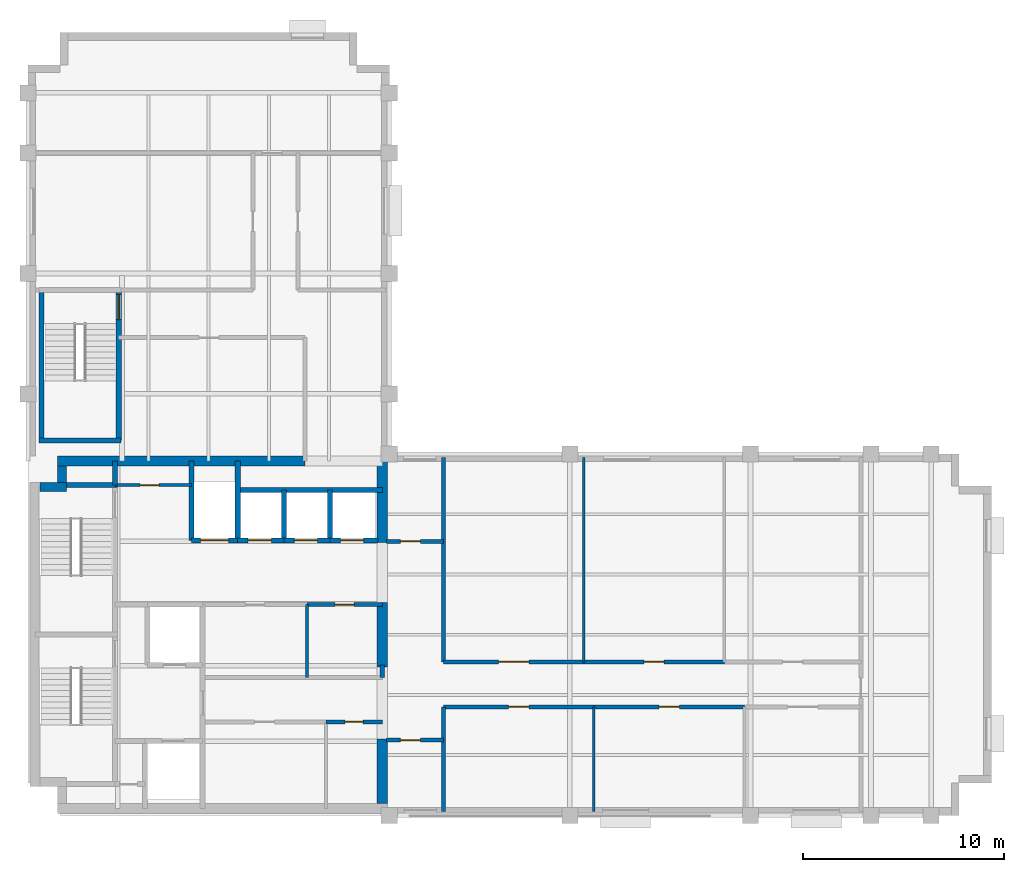
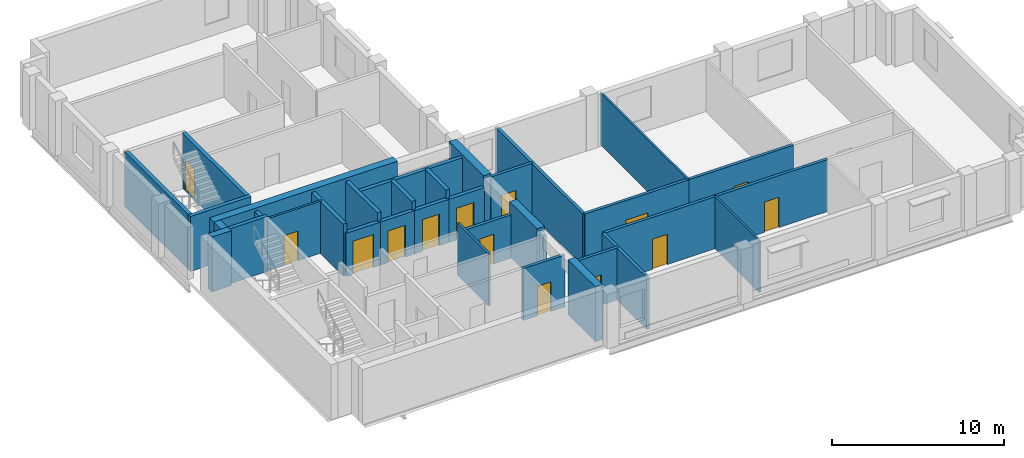
# One storey, part 3 of 6: 35 walls, 14 doors, 14 openings.
"""IFC4 building model written with IfcOpenShell, lengths in metres."""

from ifc_helpers import new_model, si_unit, direction, frame, frame_2d, origin, place, context, subcontext, project, spatial, rectangle, extrude, material, layer, layer_set, type_object, element, fill, save


model = new_model("IFC4")

# Units and contexts
model_context = context("Model", 3, precision=1e-05, world=origin(), true_north=direction((0.0, 1.0)))
body_context = subcontext(model_context, "Body", "Model", "MODEL_VIEW")
ifc_project = project(units=[si_unit("LENGTHUNIT", "METRE"), si_unit("AREAUNIT", "SQUARE_METRE"), si_unit("VOLUMEUNIT", "CUBIC_METRE"), si_unit("PLANEANGLEUNIT", "RADIAN"), si_unit("MASSUNIT", "GRAM", prefix="KILO")], contexts=[model_context])

# Site, building, storey
site_placement = place(None, origin())
site = spatial("IfcSite", under=ifc_project, at=site_placement, CompositionType="ELEMENT")
building_placement = place(site_placement, origin())
building = spatial("IfcBuilding", under=site, at=building_placement, Name="Mawjdan Bourse Tower", CompositionType="ELEMENT")
storey_placement = place(building_placement, frame((0.0, 0.0, 231.300048828125)))
storey = spatial("IfcBuildingStorey", under=building, at=storey_placement, Name="L56", CompositionType="ELEMENT", Elevation=231.300048828125)

# Wall, opening, door
ifc_material_1 = material(Name="Gypsum Fireboard Assembly")
ifc_layer_1 = layer(ifc_material_1, 0.199951171875)
ifc_layer_set_1 = layer_set([ifc_layer_1], Name="Gypsum Fireboard Assembly")
wall_type_1 = type_object("IfcWallType", Name="WL-CMP-200", PredefinedType="PARTITIONING", material=ifc_layer_set_1)
wall_1_placement = place(storey_placement, frame((20.85009765625, 7.659912109375, 0.0), z_axis=(0.0, 0.0, 1.0), x_axis=(1.0, 0.0, 0.0)))
wall_1 = element("IfcWall", 1, at=wall_1_placement, inside=storey, type_object=wall_type_1, Name="L56 Telemetry Control Room North Wall", PredefinedType="PARTITIONING", context=body_context, shape_type="SweptSolid", body=[
    extrude(rectangle(XDim=2.7998046875, YDim=0.199951171875, at=frame_2d((1.39990234375, 0.0))), origin(), (0.0, 0.0, 1.0), 3.68994140625),
])
opening_1_placement = place(wall_1_placement, frame((0.949951171875, 0.0, 0.0)))
opening_1 = element("IfcOpeningElement", 2, at=opening_1_placement, cuts=wall_1, Name="Opening D-L56-14", PredefinedType="OPENING", context=body_context, shape_type="SweptSolid", body=[
    extrude(rectangle(XDim=0.89990234375, YDim=2.10009765625, at=frame_2d((0.449951171875, 1.050048828125))), frame((0.0, 0.10986328125, 0.0), z_axis=(0.0, -1.0, 0.0), x_axis=(1.0, 0.0, 0.0)), (0.0, 0.0, 1.0), 0.219970703125),
])
ifc_material_2 = material(Name="Fire-Rated Steel Access Leaf", Category="steel")
door_type_1 = type_object("IfcDoorType", Name="FD-RSR-0900", OperationType="NOTDEFINED", PredefinedType="TRAPDOOR", material=ifc_material_2)
door_1_placement = place(opening_1_placement, origin())
door_1 = element("IfcDoor", 3, at=door_1_placement, inside=storey, type_object=door_type_1, Name="L56 Telemetry Control Room Door D-L56-14", OperationType="SINGLE_SWING_RIGHT", OverallHeight=2.10009765625, OverallWidth=0.89990234375, PredefinedType="TRAPDOOR", context=body_context, shape_type="SweptSolid", body=[
    extrude(rectangle(XDim=0.89990234375, YDim=2.10009765625, at=frame_2d((0.449951171875, 1.050048828125))), frame((0.0, 0.02490234375, 0.0), z_axis=(0.0, -1.0, 0.0), x_axis=(1.0, 0.0, 0.0)), (0.0, 0.0, 1.0), 0.050048828125),
])
fill(opening_1, door_1)

# Wall
wall_2_placement = place(storey_placement, frame((23.64990234375, 9.8798828125, 0.0), z_axis=(0.0, 0.0, 1.0), x_axis=(0.0, 1.0, 0.0)))
element("IfcWall", 4, at=wall_2_placement, inside=storey, type_object=wall_type_1, Name="L56 Core Restroom East Return", PredefinedType="PARTITIONING", context=body_context, shape_type="SweptSolid", body=[
    extrude(rectangle(XDim=0.6201171875, YDim=0.199951171875, at=frame_2d((0.31005859375, 0.0))), origin(), (0.0, 0.0, 1.0), 3.68994140625),
])

# Wall, opening, door
wall_3_placement = place(storey_placement, frame((19.89990234375, 13.5, 0.0), z_axis=(0.0, 0.0, 1.0), x_axis=(1.0, 0.0, 0.0)))
wall_3 = element("IfcWall", 5, at=wall_3_placement, inside=storey, type_object=wall_type_1, Name="L56 Staff Wellness & Quiet Room North Wall", PredefinedType="PARTITIONING", context=body_context, shape_type="SweptSolid", body=[
    extrude(rectangle(XDim=3.75, YDim=0.199951171875, at=frame_2d((1.875, 0.0))), origin(), (0.0, 0.0, 1.0), 3.072998046875),
])
opening_2_placement = place(wall_3_placement, frame((1.39990234375, 0.0, 0.0)))
opening_2 = element("IfcOpeningElement", 6, at=opening_2_placement, cuts=wall_3, Name="Opening D-L56-16", PredefinedType="OPENING", context=body_context, shape_type="SweptSolid", body=[
    extrude(rectangle(XDim=0.949951171875, YDim=2.10009765625, at=frame_2d((0.47509765625, 1.050048828125))), frame((0.0, 0.10986328125, 0.0), z_axis=(0.0, -1.0, 0.0), x_axis=(1.0, 0.0, 0.0)), (0.0, 0.0, 1.0), 0.219970703125),
])
ifc_material_3 = material(Name="Moisture-Resistant Laminate Timber", Category="wood")
door_type_2 = type_object("IfcDoorType", Name="DR-WET-0950", OperationType="NOTDEFINED", PredefinedType="DOOR", material=ifc_material_3)
door_2_placement = place(opening_2_placement, origin())
door_2 = element("IfcDoor", 7, at=door_2_placement, inside=storey, type_object=door_type_2, Name="L56 Staff Wellness & Quiet Room Door D-L56-16", OperationType="SINGLE_SWING_RIGHT", OverallHeight=2.10009765625, OverallWidth=0.949951171875, PredefinedType="DOOR", context=body_context, shape_type="SweptSolid", body=[
    extrude(rectangle(XDim=0.949951171875, YDim=2.10009765625, at=frame_2d((0.47509765625, 1.050048828125))), frame((0.0, 0.02490234375, 0.0), z_axis=(0.0, -1.0, 0.0), x_axis=(1.0, 0.0, 0.0)), (0.0, 0.0, 1.0), 0.050048828125),
])
fill(opening_2, door_2)

wall_4_placement = place(storey_placement, frame((23.85009765625, 6.75, 0.0), z_axis=(0.0, 0.0, 1.0), x_axis=(1.0, 0.0, 0.0)))
wall_4 = element("IfcWall", 8, at=wall_4_placement, inside=storey, type_object=wall_type_1, Name="L56 West Pocket North Wall", PredefinedType="PARTITIONING", context=body_context, shape_type="SweptSolid", body=[
    extrude(rectangle(XDim=2.849853515625, YDim=0.199951171875, at=frame_2d((1.4248046875, 0.0))), origin(), (0.0, 0.0, 1.0), 3.68994140625),
])
opening_3_placement = place(wall_4_placement, frame((0.699951171875, 0.0, 0.0)))
opening_3 = element("IfcOpeningElement", 9, at=opening_3_placement, cuts=wall_4, Name="Opening D-L56-19", PredefinedType="OPENING", context=body_context, shape_type="SweptSolid", body=[
    extrude(rectangle(XDim=1.0, YDim=2.14990234375, at=frame_2d((0.5, 1.074951171875))), frame((0.0, 0.10986328125, 0.0), z_axis=(0.0, -1.0, 0.0), x_axis=(1.0, 0.0, 0.0)), (0.0, 0.0, 1.0), 0.219970703125),
])
ifc_material_4 = material(Name="Hardwood Acoustic Leaf", Category="wood")
door_type_3 = type_object("IfcDoorType", Name="DR-OFC-1000", OperationType="NOTDEFINED", PredefinedType="DOOR", material=ifc_material_4)
door_3_placement = place(opening_3_placement, origin())
door_3 = element("IfcDoor", 10, at=door_3_placement, inside=storey, type_object=door_type_3, Name="L56 West Pocket Office Door D-L56-19", OperationType="SINGLE_SWING_LEFT", OverallHeight=2.14990234375, OverallWidth=1.0, PredefinedType="DOOR", context=body_context, shape_type="SweptSolid", body=[
    extrude(rectangle(XDim=1.0, YDim=2.14990234375, at=frame_2d((0.5, 1.074951171875))), frame((0.0, 0.02490234375, 0.0), z_axis=(0.0, -1.0, 0.0), x_axis=(1.0, 0.0, 0.0)), (0.0, 0.0, 1.0), 0.050048828125),
])
fill(opening_3, door_3)

wall_5_placement = place(storey_placement, frame((23.85009765625, 16.64990234375, 0.0), z_axis=(0.0, 0.0, 1.0), x_axis=(1.0, 0.0, 0.0)))
wall_5 = element("IfcWall", 11, at=wall_5_placement, inside=storey, type_object=wall_type_1, Name="L56 West North Pocket Wall", PredefinedType="PARTITIONING", context=body_context, shape_type="SweptSolid", body=[
    extrude(rectangle(XDim=2.849853515625, YDim=0.199951171875, at=frame_2d((1.4248046875, 0.0))), origin(), (0.0, 0.0, 1.0), 3.68994140625),
])
opening_4_placement = place(wall_5_placement, frame((0.699951171875, 0.0, 0.0)))
opening_4 = element("IfcOpeningElement", 12, at=opening_4_placement, cuts=wall_5, Name="Opening D-L56-20", PredefinedType="OPENING", context=body_context, shape_type="SweptSolid", body=[
    extrude(rectangle(XDim=1.0, YDim=2.14990234375, at=frame_2d((0.5, 1.074951171875))), frame((0.0, 0.10986328125, 0.0), z_axis=(0.0, -1.0, 0.0), x_axis=(1.0, 0.0, 0.0)), (0.0, 0.0, 1.0), 0.219970703125),
])
door_4_placement = place(opening_4_placement, origin())
door_4 = element("IfcDoor", 13, at=door_4_placement, inside=storey, type_object=door_type_3, Name="L56 West North Pocket Door D-L56-20", OperationType="SINGLE_SWING_RIGHT", OverallHeight=2.14990234375, OverallWidth=1.0, PredefinedType="DOOR", context=body_context, shape_type="SweptSolid", body=[
    extrude(rectangle(XDim=1.0, YDim=2.14990234375, at=frame_2d((0.5, 1.074951171875))), frame((0.0, 0.02490234375, 0.0), z_axis=(0.0, -1.0, 0.0), x_axis=(1.0, 0.0, 0.0)), (0.0, 0.0, 1.0), 0.050048828125),
])
fill(opening_4, door_4)

# Walls
wall_6_placement = place(storey_placement, frame((26.699951171875, 3.179931640625, 0.0), z_axis=(0.0, 0.0, 1.0), x_axis=(0.0, 1.0, 0.0)))
element("IfcWall", 14, at=wall_6_placement, inside=storey, type_object=wall_type_1, Name="L56 Vestibule South East Wall", PredefinedType="PARTITIONING", context=body_context, shape_type="SweptSolid", body=[
    extrude(rectangle(XDim=5.219970703125, YDim=0.199951171875, at=frame_2d((2.60986328125, 0.0))), origin(), (0.0, 0.0, 1.0), 3.68994140625),
])
wall_7_placement = place(storey_placement, frame((26.699951171875, 10.64990234375, 0.0), z_axis=(0.0, 0.0, 1.0), x_axis=(0.0, 1.0, 0.0)))
element("IfcWall", 15, at=wall_7_placement, inside=storey, type_object=wall_type_1, Name="L56 Vestibule North East Wall", PredefinedType="PARTITIONING", context=body_context, shape_type="SweptSolid", body=[
    extrude(rectangle(XDim=10.170166015625, YDim=0.199951171875, at=frame_2d((5.0849609375, 0.0))), origin(), (0.0, 0.0, 1.0), 3.68994140625),
])

# Wall, opening, door
wall_8_placement = place(storey_placement, frame((26.699951171875, 8.39990234375, 0.0), z_axis=(0.0, 0.0, 1.0), x_axis=(1.0, 0.0, 0.0)))
wall_8 = element("IfcWall", 16, at=wall_8_placement, inside=storey, type_object=wall_type_1, Name="L56 Private Equity Suite Corridor Wall", PredefinedType="PARTITIONING", context=body_context, shape_type="SweptSolid", body=[
    extrude(rectangle(XDim=7.5, YDim=0.199951171875, at=frame_2d((3.75, 0.0))), origin(), (0.0, 0.0, 1.0), 3.68994140625),
])
opening_5_placement = place(wall_8_placement, frame((3.25, 0.0, 0.0)))
opening_5 = element("IfcOpeningElement", 17, at=opening_5_placement, cuts=wall_8, Name="Opening D-L56-21", PredefinedType="OPENING", context=body_context, shape_type="SweptSolid", body=[
    extrude(rectangle(XDim=1.0, YDim=2.14990234375, at=frame_2d((0.5, 1.074951171875))), frame((0.0, 0.10986328125, 0.0), z_axis=(0.0, -1.0, 0.0), x_axis=(1.0, 0.0, 0.0)), (0.0, 0.0, 1.0), 0.219970703125),
])
door_5_placement = place(opening_5_placement, origin())
door_5 = element("IfcDoor", 18, at=door_5_placement, inside=storey, type_object=door_type_3, Name="L56 Private Equity Suite Door D-L56-21", OperationType="SINGLE_SWING_LEFT", OverallHeight=2.14990234375, OverallWidth=1.0, PredefinedType="DOOR", context=body_context, shape_type="SweptSolid", body=[
    extrude(rectangle(XDim=1.0, YDim=2.14990234375, at=frame_2d((0.5, 1.074951171875))), frame((0.0, 0.02490234375, 0.0), z_axis=(0.0, -1.0, 0.0), x_axis=(1.0, 0.0, 0.0)), (0.0, 0.0, 1.0), 0.050048828125),
])
fill(opening_5, door_5)

wall_9_placement = place(storey_placement, frame((34.199951171875, 8.39990234375, 0.0), z_axis=(0.0, 0.0, 1.0), x_axis=(1.0, 0.0, 0.0)))
wall_9 = element("IfcWall", 19, at=wall_9_placement, inside=storey, type_object=wall_type_1, Name="L56 Executive Office Corridor Wall", PredefinedType="PARTITIONING", context=body_context, shape_type="SweptSolid", body=[
    extrude(rectangle(XDim=7.5, YDim=0.199951171875, at=frame_2d((3.75, 0.0))), origin(), (0.0, 0.0, 1.0), 3.68994140625),
])
opening_6_placement = place(wall_9_placement, frame((3.25, 0.0, 0.0)))
opening_6 = element("IfcOpeningElement", 20, at=opening_6_placement, cuts=wall_9, Name="Opening D-L56-22", PredefinedType="OPENING", context=body_context, shape_type="SweptSolid", body=[
    extrude(rectangle(XDim=1.0, YDim=2.14990234375, at=frame_2d((0.5, 1.074951171875))), frame((0.0, 0.10986328125, 0.0), z_axis=(0.0, -1.0, 0.0), x_axis=(1.0, 0.0, 0.0)), (0.0, 0.0, 1.0), 0.219970703125),
])
door_6_placement = place(opening_6_placement, origin())
door_6 = element("IfcDoor", 21, at=door_6_placement, inside=storey, type_object=door_type_3, Name="L56 Executive Office Door D-L56-22", OperationType="SINGLE_SWING_RIGHT", OverallHeight=2.14990234375, OverallWidth=1.0, PredefinedType="DOOR", context=body_context, shape_type="SweptSolid", body=[
    extrude(rectangle(XDim=1.0, YDim=2.14990234375, at=frame_2d((0.5, 1.074951171875))), frame((0.0, 0.02490234375, 0.0), z_axis=(0.0, -1.0, 0.0), x_axis=(1.0, 0.0, 0.0)), (0.0, 0.0, 1.0), 0.050048828125),
])
fill(opening_6, door_6)

wall_10_placement = place(storey_placement, frame((26.699951171875, 10.64990234375, 0.0), z_axis=(0.0, 0.0, 1.0), x_axis=(1.0, 0.0, 0.0)))
wall_10 = element("IfcWall", 22, at=wall_10_placement, inside=storey, type_object=wall_type_1, Name="L56 Conference Room Corridor Wall", PredefinedType="PARTITIONING", context=body_context, shape_type="SweptSolid", body=[
    extrude(rectangle(XDim=7.0, YDim=0.199951171875, at=frame_2d((3.5, 0.0))), origin(), (0.0, 0.0, 1.0), 3.68994140625),
])
opening_7_placement = place(wall_10_placement, frame((2.75, 0.0, 0.0)))
opening_7 = element("IfcOpeningElement", 23, at=opening_7_placement, cuts=wall_10, Name="Opening D-L56-24", PredefinedType="OPENING", context=body_context, shape_type="SweptSolid", body=[
    extrude(rectangle(XDim=1.5, YDim=2.300048828125, at=frame_2d((0.75, 1.14990234375))), frame((0.0, 0.10986328125, 0.0), z_axis=(0.0, -1.0, 0.0), x_axis=(1.0, 0.0, 0.0)), (0.0, 0.0, 1.0), 0.219970703125),
])
ifc_material_5 = material(Name="Acoustic Glazed Timber", Category="wood")
door_type_4 = type_object("IfcDoorType", Name="DR-CNF-1500", OperationType="DOUBLE_DOOR_SINGLE_SWING", PredefinedType="DOOR", material=ifc_material_5)
door_7_placement = place(opening_7_placement, origin())
door_7 = element("IfcDoor", 24, at=door_7_placement, inside=storey, type_object=door_type_4, Name="L56 Conference Room Door D-L56-24", OperationType="DOUBLE_DOOR_SINGLE_SWING", OverallHeight=2.300048828125, OverallWidth=1.5, PredefinedType="DOOR", context=body_context, shape_type="SweptSolid", body=[
    extrude(rectangle(XDim=1.5, YDim=2.300048828125, at=frame_2d((0.75, 1.14990234375))), frame((0.0, 0.02490234375, 0.0), z_axis=(0.0, -1.0, 0.0), x_axis=(1.0, 0.0, 0.0)), (0.0, 0.0, 1.0), 0.050048828125),
])
fill(opening_7, door_7)

wall_11_placement = place(storey_placement, frame((33.699951171875, 10.64990234375, 0.0), z_axis=(0.0, 0.0, 1.0), x_axis=(1.0, 0.0, 0.0)))
wall_11 = element("IfcWall", 25, at=wall_11_placement, inside=storey, type_object=wall_type_1, Name="L56 Venture Research Office Corridor Wall", PredefinedType="PARTITIONING", context=body_context, shape_type="SweptSolid", body=[
    extrude(rectangle(XDim=7.0, YDim=0.199951171875, at=frame_2d((3.5, 0.0))), origin(), (0.0, 0.0, 1.0), 3.68994140625),
])
opening_8_placement = place(wall_11_placement, frame((3.0, 0.0, 0.0)))
opening_8 = element("IfcOpeningElement", 26, at=opening_8_placement, cuts=wall_11, Name="Opening D-L56-25", PredefinedType="OPENING", context=body_context, shape_type="SweptSolid", body=[
    extrude(rectangle(XDim=1.0, YDim=2.14990234375, at=frame_2d((0.5, 1.074951171875))), frame((0.0, 0.10986328125, 0.0), z_axis=(0.0, -1.0, 0.0), x_axis=(1.0, 0.0, 0.0)), (0.0, 0.0, 1.0), 0.219970703125),
])
door_8_placement = place(opening_8_placement, origin())
door_8 = element("IfcDoor", 27, at=door_8_placement, inside=storey, type_object=door_type_3, Name="L56 Venture Research Office Door D-L56-25", OperationType="SINGLE_SWING_LEFT", OverallHeight=2.14990234375, OverallWidth=1.0, PredefinedType="DOOR", context=body_context, shape_type="SweptSolid", body=[
    extrude(rectangle(XDim=1.0, YDim=2.14990234375, at=frame_2d((0.5, 1.074951171875))), frame((0.0, 0.02490234375, 0.0), z_axis=(0.0, -1.0, 0.0), x_axis=(1.0, 0.0, 0.0)), (0.0, 0.0, 1.0), 0.050048828125),
])
fill(opening_8, door_8)

# Walls
ifc_material_6 = material(Name="Concrete C60/75", Category="concrete")
ifc_layer_2 = layer(ifc_material_6, 0.449951171875)
ifc_layer_set_2 = layer_set([ifc_layer_2], Name="Concrete C60/75")
wall_type_2 = type_object("IfcWallType", Name="WL-CORE-450", PredefinedType="SHEAR", material=ifc_layer_set_2)
wall_12_placement = place(storey_placement, frame((6.60009765625, 19.35009765625, 0.0), z_axis=(0.0, 0.0, 1.0), x_axis=(1.0, 0.0, 0.0)))
element("IfcWall", 28, at=wall_12_placement, inside=storey, type_object=wall_type_2, Name="L56 Rear Core Shear Wall NW-X", PredefinedType="SHEAR", context=body_context, shape_type="SweptSolid", body=[
    extrude(rectangle(XDim=1.324951171875, YDim=0.449951171875, at=frame_2d((0.66259765625, 0.0))), origin(), (0.0, 0.0, 1.0), 3.89990234375),
])
wall_13_placement = place(storey_placement, frame((7.699951171875, 19.574951171875, 0.0), z_axis=(0.0, 0.0, 1.0), x_axis=(0.0, 1.0, 0.0)))
element("IfcWall", 29, at=wall_13_placement, inside=storey, type_object=wall_type_2, Name="L56 Rear Core Shear Wall NW-Y", PredefinedType="SHEAR", context=body_context, shape_type="SweptSolid", body=[
    extrude(rectangle(XDim=0.824951171875, YDim=0.449951171875, at=frame_2d((0.41259765625, 0.0))), origin(), (0.0, 0.0, 1.0), 3.89990234375),
])
ifc_layer_3 = layer(ifc_material_6, 0.5)
ifc_layer_set_3 = layer_set([ifc_layer_3], Name="Concrete C60/75")
wall_type_3 = type_object("IfcWallType", Name="WL-CORE-500", PredefinedType="SHEAR", material=ifc_layer_set_3)
wall_14_placement = place(storey_placement, frame((7.47509765625, 20.64990234375, 0.0), z_axis=(0.0, 0.0, 1.0), x_axis=(1.0, 0.0, 0.0)))
element("IfcWall", 30, at=wall_14_placement, inside=storey, type_object=wall_type_3, Name="L56 Rear Core Shear Wall N", PredefinedType="SHEAR", context=body_context, shape_type="SweptSolid", body=[
    extrude(rectangle(XDim=12.324951171875, YDim=0.5, at=frame_2d((6.16259765625, 0.0))), origin(), (0.0, 0.0, 1.0), 3.89990234375),
])
wall_15_placement = place(storey_placement, frame((23.64990234375, 3.60009765625, 0.0), z_axis=(0.0, 0.0, 1.0), x_axis=(0.0, 1.0, 0.0)))
element("IfcWall", 31, at=wall_15_placement, inside=storey, type_object=wall_type_3, Name="L56 Rear Core Shear Wall E1", PredefinedType="SHEAR", context=body_context, shape_type="SweptSolid", body=[
    extrude(rectangle(XDim=3.199951171875, YDim=0.5, at=frame_2d((1.60009765625, 0.0))), origin(), (0.0, 0.0, 1.0), 3.89990234375),
])
wall_16_placement = place(storey_placement, frame((23.64990234375, 10.39990234375, 0.0), z_axis=(0.0, 0.0, 1.0), x_axis=(0.0, 1.0, 0.0)))
element("IfcWall", 32, at=wall_16_placement, inside=storey, type_object=wall_type_3, Name="L56 Rear Core Shear Wall E2", PredefinedType="SHEAR", context=body_context, shape_type="SweptSolid", body=[
    extrude(rectangle(XDim=3.2001953125, YDim=0.5, at=frame_2d((1.60009765625, 0.0))), origin(), (0.0, 0.0, 1.0), 3.89990234375),
])
wall_17_placement = place(storey_placement, frame((23.64990234375, 16.60009765625, 0.0), z_axis=(0.0, 0.0, 1.0), x_axis=(0.0, 1.0, 0.0)))
element("IfcWall", 33, at=wall_17_placement, inside=storey, type_object=wall_type_3, Name="L56 Rear Core Shear Wall E3", PredefinedType="SHEAR", context=body_context, shape_type="SweptSolid", body=[
    extrude(rectangle(XDim=4.0498046875, YDim=0.5, at=frame_2d((2.02490234375, 0.0))), origin(), (0.0, 0.0, 1.0), 3.89990234375),
])
ifc_material_7 = material(Name="Gypsum Partition")
ifc_layer_4 = layer(ifc_material_7, 0.125)
ifc_layer_set_4 = layer_set([ifc_layer_4], Name="Gypsum Partition")
wall_type_4 = type_object("IfcWallType", Name="WL-PRT-125", PredefinedType="PARTITIONING", material=ifc_layer_set_4)
wall_18_placement = place(storey_placement, frame((34.199951171875, 3.179931640625, 0.0), z_axis=(0.0, 0.0, 1.0), x_axis=(0.0, 1.0, 0.0)))
element("IfcWall", 34, at=wall_18_placement, inside=storey, type_object=wall_type_4, Name="L56 Executive Office Partition", PredefinedType="PARTITIONING", context=body_context, shape_type="SweptSolid", body=[
    extrude(rectangle(XDim=5.219970703125, YDim=0.125, at=frame_2d((2.60986328125, 0.0))), origin(), (0.0, 0.0, 1.0), 3.68994140625),
])
wall_19_placement = place(storey_placement, frame((33.699951171875, 10.64990234375, 0.0), z_axis=(0.0, 0.0, 1.0), x_axis=(0.0, 1.0, 0.0)))
element("IfcWall", 35, at=wall_19_placement, inside=storey, type_object=wall_type_4, Name="L56 Venture Research Office Partition", PredefinedType="PARTITIONING", context=body_context, shape_type="SweptSolid", body=[
    extrude(rectangle(XDim=10.170166015625, YDim=0.125, at=frame_2d((5.0849609375, 0.0))), origin(), (0.0, 0.0, 1.0), 3.68994140625),
])
ifc_material_8 = material(Name="Gypsum Acoustic Partition")
ifc_layer_5 = layer(ifc_material_8, 0.14990234375)
ifc_layer_set_5 = layer_set([ifc_layer_5], Name="Gypsum Acoustic Partition")
wall_type_5 = type_object("IfcWallType", Name="WL-PRT-150", PredefinedType="PARTITIONING", material=ifc_layer_set_5)
wall_20_placement = place(storey_placement, frame((19.89990234375, 9.8798828125, 0.0), z_axis=(0.0, 0.0, 1.0), x_axis=(0.0, 1.0, 0.0)))
element("IfcWall", 36, at=wall_20_placement, inside=storey, type_object=wall_type_5, Name="L56 Staff Wellness & Quiet Room Split Wall", PredefinedType="PARTITIONING", context=body_context, shape_type="SweptSolid", body=[
    extrude(rectangle(XDim=3.6201171875, YDim=0.14990234375, at=frame_2d((1.81005859375, 0.0))), origin(), (0.0, 0.0, 1.0), 3.68994140625),
])

# Wall, opening, door
wall_21_placement = place(storey_placement, frame((10.330078125, 19.449951171875, 0.0), z_axis=(0.0, 0.0, 1.0), x_axis=(1.0, 0.0, 0.0)))
wall_21 = element("IfcWall", 37, at=wall_21_placement, inside=storey, type_object=wall_type_5, Name="L56 Housekeeping South Wall", PredefinedType="PARTITIONING", context=body_context, shape_type="SweptSolid", body=[
    extrude(rectangle(XDim=3.81982421875, YDim=0.14990234375, at=frame_2d((1.909912109375, 0.0))), origin(), (0.0, 0.0, 1.0), 3.68994140625),
])
opening_9_placement = place(wall_21_placement, frame((1.25, 0.0, 0.0)))
opening_9 = element("IfcOpeningElement", 38, at=opening_9_placement, cuts=wall_21, Name="Opening D-L56-17", PredefinedType="OPENING", context=body_context, shape_type="SweptSolid", body=[
    extrude(rectangle(XDim=0.949951171875, YDim=2.10009765625, at=frame_2d((0.47509765625, 1.050048828125))), frame((0.0, 0.0849609375, 0.0), z_axis=(0.0, -1.0, 0.0), x_axis=(1.0, 0.0, 0.0)), (0.0, 0.0, 1.0), 0.169921875),
])
door_9_placement = place(opening_9_placement, origin())
door_9 = element("IfcDoor", 39, at=door_9_placement, inside=storey, type_object=door_type_2, Name="L56 Housekeeping Closet Door D-L56-17", OperationType="SINGLE_SWING_LEFT", OverallHeight=2.10009765625, OverallWidth=0.949951171875, PredefinedType="DOOR", context=body_context, shape_type="SweptSolid", body=[
    extrude(rectangle(XDim=0.949951171875, YDim=2.10009765625, at=frame_2d((0.47509765625, 1.050048828125))), frame((0.0, 0.02490234375, 0.0), z_axis=(0.0, -1.0, 0.0), x_axis=(1.0, 0.0, 0.0)), (0.0, 0.0, 1.0), 0.050048828125),
])
fill(opening_9, door_9)

# Wall
ifc_material_9 = material(Name="Concrete C50/60", Category="concrete")
ifc_layer_6 = layer(ifc_material_9, 0.25)
ifc_layer_set_6 = layer_set([ifc_layer_6], Name="Concrete C50/60")
wall_type_6 = type_object("IfcWallType", Name="WL-SHFT-250", PredefinedType="PARTITIONING", material=ifc_layer_set_6)
wall_22_placement = place(storey_placement, frame((10.330078125, 19.449951171875, 0.0), z_axis=(0.0, 0.0, 1.0), x_axis=(0.0, 1.0, 0.0)))
element("IfcWall", 40, at=wall_22_placement, inside=storey, type_object=wall_type_6, Name="L56 NW Riser East Wall", PredefinedType="PARTITIONING", context=body_context, shape_type="SweptSolid", body=[
    extrude(rectangle(XDim=1.199951171875, YDim=0.25, at=frame_2d((0.60009765625, 0.0))), origin(), (0.0, 0.0, 1.0), 3.68994140625),
])

# Wall, opening, door
wall_23_placement = place(storey_placement, frame((14.14990234375, 16.699951171875, 0.0), z_axis=(0.0, 0.0, 1.0), x_axis=(1.0, 0.0, 0.0)))
wall_23 = element("IfcWall", 41, at=wall_23_placement, inside=storey, type_object=wall_type_6, Name="L56 SVL-01 Front Shaft Wall", PredefinedType="PARTITIONING", context=body_context, shape_type="SweptSolid", body=[
    extrude(rectangle(XDim=2.300048828125, YDim=0.25, at=frame_2d((1.14990234375, 0.0))), origin(), (0.0, 0.0, 1.0), 3.072998046875),
])
opening_10_placement = place(wall_23_placement, frame((0.449951171875, 0.0, 0.0)))
opening_10 = element("IfcOpeningElement", 42, at=opening_10_placement, cuts=wall_23, Name="Opening LD-L56-09", PredefinedType="OPENING", context=body_context, shape_type="SweptSolid", body=[
    extrude(rectangle(XDim=1.39990234375, YDim=2.35009765625, at=frame_2d((0.699951171875, 1.175048828125))), frame((0.0, 0.135009765625, 0.0), z_axis=(0.0, -1.0, 0.0), x_axis=(1.0, 0.0, 0.0)), (0.0, 0.0, 1.0), 0.27001953125),
])
ifc_material_10 = material(Name="Heavy-Duty Stainless Steel", Category="steel")
door_type_5 = type_object("IfcDoorType", Name="LD-SRV-1400", OperationType="DOUBLE_DOOR_SLIDING", PredefinedType="DOOR", material=ifc_material_10)
door_10_placement = place(opening_10_placement, origin())
door_10 = element("IfcDoor", 43, at=door_10_placement, inside=storey, type_object=door_type_5, Name="L56 Service Lift SVL-01 Landing Door LD-L56-09", OperationType="DOUBLE_DOOR_SLIDING", OverallHeight=2.35009765625, OverallWidth=1.39990234375, PredefinedType="DOOR", context=body_context, shape_type="SweptSolid", body=[
    extrude(rectangle(XDim=1.39990234375, YDim=2.35009765625, at=frame_2d((0.699951171875, 1.175048828125))), frame((0.0, 0.02490234375, 0.0), z_axis=(0.0, -1.0, 0.0), x_axis=(1.0, 0.0, 0.0)), (0.0, 0.0, 1.0), 0.050048828125),
])
fill(opening_10, door_10)

# Walls
for number, where, z_axis, x_axis, name in (
    (44, (14.14990234375, 16.699951171875, 0.0), (0.0, 0.0, 1.0), (0.0, 1.0, 0.0), "L56 SVL-01 West Shaft Wall"),
    (45, (16.449951171875, 16.699951171875, 0.0), (0.0, 0.0, 1.0), (0.0, 1.0, 0.0), "L56 SVL-01 East Shaft Wall"),
):
    element("IfcWall", number, at=place(storey_placement, frame(where, z_axis=z_axis, x_axis=x_axis)), inside=storey, type_object=wall_type_6, Name=name, PredefinedType="PARTITIONING", context=body_context, shape_type="SweptSolid", body=[
        extrude(rectangle(XDim=3.949951171875, YDim=0.25, at=frame_2d((1.97509765625, 0.0))), origin(), (0.0, 0.0, 1.0), 3.68994140625),
    ])

# Wall, opening, door
wall_24_placement = place(storey_placement, frame((16.449951171875, 16.699951171875, 0.0), z_axis=(0.0, 0.0, 1.0), x_axis=(1.0, 0.0, 0.0)))
wall_24 = element("IfcWall", 46, at=wall_24_placement, inside=storey, type_object=wall_type_6, Name="L56 PH-01 Front Wall", PredefinedType="PARTITIONING", context=body_context, shape_type="SweptSolid", body=[
    extrude(rectangle(XDim=2.300048828125, YDim=0.25, at=frame_2d((1.14990234375, 0.0))), origin(), (0.0, 0.0, 1.0), 3.072998046875),
])
opening_11_placement = place(wall_24_placement, frame((0.52001953125, 0.0, 0.0)))
opening_11 = element("IfcOpeningElement", 47, at=opening_11_placement, cuts=wall_24, Name="Opening LD-L56-10", PredefinedType="OPENING", context=body_context, shape_type="SweptSolid", body=[
    extrude(rectangle(XDim=1.14990234375, YDim=2.25, at=frame_2d((0.574951171875, 1.125))), frame((0.0, 0.135009765625, 0.0), z_axis=(0.0, -1.0, 0.0), x_axis=(1.0, 0.0, 0.0)), (0.0, 0.0, 1.0), 0.27001953125),
])
ifc_material_11 = material(Name="Brushed Stainless Steel", Category="steel")
door_type_6 = type_object("IfcDoorType", Name="LD-PAS-1150", OperationType="DOUBLE_DOOR_SLIDING", PredefinedType="DOOR", material=ifc_material_11)
door_11_placement = place(opening_11_placement, origin())
door_11 = element("IfcDoor", 48, at=door_11_placement, inside=storey, type_object=door_type_6, Name="L56 Lift PH-01 Landing Door LD-L56-10", OperationType="DOUBLE_DOOR_SLIDING", OverallHeight=2.25, OverallWidth=1.14990234375, PredefinedType="DOOR", context=body_context, shape_type="SweptSolid", body=[
    extrude(rectangle(XDim=1.14990234375, YDim=2.25, at=frame_2d((0.574951171875, 1.125))), frame((0.0, 0.02490234375, 0.0), z_axis=(0.0, -1.0, 0.0), x_axis=(1.0, 0.0, 0.0)), (0.0, 0.0, 1.0), 0.050048828125),
])
fill(opening_11, door_11)

# Wall
wall_25_placement = place(storey_placement, frame((18.75, 16.699951171875, 0.0), z_axis=(0.0, 0.0, 1.0), x_axis=(0.0, 1.0, 0.0)))
element("IfcWall", 49, at=wall_25_placement, inside=storey, type_object=wall_type_6, Name="L56 PH-01 Divider Wall", PredefinedType="PARTITIONING", context=body_context, shape_type="SweptSolid", body=[
    extrude(rectangle(XDim=2.5, YDim=0.25, at=frame_2d((1.25, 0.0))), origin(), (0.0, 0.0, 1.0), 3.68994140625),
])

# Wall, opening, door
wall_26_placement = place(storey_placement, frame((18.75, 16.699951171875, 0.0), z_axis=(0.0, 0.0, 1.0), x_axis=(1.0, 0.0, 0.0)))
wall_26 = element("IfcWall", 50, at=wall_26_placement, inside=storey, type_object=wall_type_6, Name="L56 PH-02 Front Wall", PredefinedType="PARTITIONING", context=body_context, shape_type="SweptSolid", body=[
    extrude(rectangle(XDim=2.300048828125, YDim=0.25, at=frame_2d((1.14990234375, 0.0))), origin(), (0.0, 0.0, 1.0), 3.072998046875),
])
opening_12_placement = place(wall_26_placement, frame((0.52001953125, 0.0, 0.0)))
opening_12 = element("IfcOpeningElement", 51, at=opening_12_placement, cuts=wall_26, Name="Opening LD-L56-11", PredefinedType="OPENING", context=body_context, shape_type="SweptSolid", body=[
    extrude(rectangle(XDim=1.14990234375, YDim=2.25, at=frame_2d((0.574951171875, 1.125))), frame((0.0, 0.135009765625, 0.0), z_axis=(0.0, -1.0, 0.0), x_axis=(1.0, 0.0, 0.0)), (0.0, 0.0, 1.0), 0.27001953125),
])
door_12_placement = place(opening_12_placement, origin())
door_12 = element("IfcDoor", 52, at=door_12_placement, inside=storey, type_object=door_type_6, Name="L56 Lift PH-02 Landing Door LD-L56-11", OperationType="DOUBLE_DOOR_SLIDING", OverallHeight=2.25, OverallWidth=1.14990234375, PredefinedType="DOOR", context=body_context, shape_type="SweptSolid", body=[
    extrude(rectangle(XDim=1.14990234375, YDim=2.25, at=frame_2d((0.574951171875, 1.125))), frame((0.0, 0.02490234375, 0.0), z_axis=(0.0, -1.0, 0.0), x_axis=(1.0, 0.0, 0.0)), (0.0, 0.0, 1.0), 0.050048828125),
])
fill(opening_12, door_12)

# Wall
wall_27_placement = place(storey_placement, frame((21.050048828125, 16.699951171875, 0.0), z_axis=(0.0, 0.0, 1.0), x_axis=(0.0, 1.0, 0.0)))
element("IfcWall", 53, at=wall_27_placement, inside=storey, type_object=wall_type_6, Name="L56 PH-02 Divider Wall", PredefinedType="PARTITIONING", context=body_context, shape_type="SweptSolid", body=[
    extrude(rectangle(XDim=2.5, YDim=0.25, at=frame_2d((1.25, 0.0))), origin(), (0.0, 0.0, 1.0), 3.68994140625),
])

# Wall, opening, door
wall_28_placement = place(storey_placement, frame((21.050048828125, 16.699951171875, 0.0), z_axis=(0.0, 0.0, 1.0), x_axis=(1.0, 0.0, 0.0)))
wall_28 = element("IfcWall", 54, at=wall_28_placement, inside=storey, type_object=wall_type_6, Name="L56 PH-03 Front Wall", PredefinedType="PARTITIONING", context=body_context, shape_type="SweptSolid", body=[
    extrude(rectangle(XDim=2.39990234375, YDim=0.25, at=frame_2d((1.199951171875, 0.0))), origin(), (0.0, 0.0, 1.0), 3.072998046875),
])
opening_13_placement = place(wall_28_placement, frame((0.52001953125, 0.0, 0.0)))
opening_13 = element("IfcOpeningElement", 55, at=opening_13_placement, cuts=wall_28, Name="Opening LD-L56-12", PredefinedType="OPENING", context=body_context, shape_type="SweptSolid", body=[
    extrude(rectangle(XDim=1.14990234375, YDim=2.25, at=frame_2d((0.574951171875, 1.125))), frame((0.0, 0.135009765625, 0.0), z_axis=(0.0, -1.0, 0.0), x_axis=(1.0, 0.0, 0.0)), (0.0, 0.0, 1.0), 0.27001953125),
])
door_13_placement = place(opening_13_placement, origin())
door_13 = element("IfcDoor", 56, at=door_13_placement, inside=storey, type_object=door_type_6, Name="L56 Lift PH-03 Landing Door LD-L56-12", OperationType="DOUBLE_DOOR_SLIDING", OverallHeight=2.25, OverallWidth=1.14990234375, PredefinedType="DOOR", context=body_context, shape_type="SweptSolid", body=[
    extrude(rectangle(XDim=1.14990234375, YDim=2.25, at=frame_2d((0.574951171875, 1.125))), frame((0.0, 0.02490234375, 0.0), z_axis=(0.0, -1.0, 0.0), x_axis=(1.0, 0.0, 0.0)), (0.0, 0.0, 1.0), 0.050048828125),
])
fill(opening_13, door_13)

# Walls
wall_29_placement = place(storey_placement, frame((16.449951171875, 19.199951171875, 0.0), z_axis=(0.0, 0.0, 1.0), x_axis=(1.0, 0.0, 0.0)))
element("IfcWall", 57, at=wall_29_placement, inside=storey, type_object=wall_type_6, Name="L56 PH Bank North Shaft Back Wall", PredefinedType="PARTITIONING", context=body_context, shape_type="SweptSolid", body=[
    extrude(rectangle(XDim=7.199951171875, YDim=0.25, at=frame_2d((3.60009765625, 0.0))), origin(), (0.0, 0.0, 1.0), 3.68994140625),
])
ifc_layer_7 = layer(ifc_material_9, 0.25)
ifc_layer_set_7 = layer_set([ifc_layer_7], Name="Concrete C50/60")
wall_type_7 = type_object("IfcWallType", Name="WL-STRW-250", PredefinedType="SHEAR", material=ifc_layer_set_7)
wall_30_placement = place(storey_placement, frame((7.699951171875, 19.449951171875, 0.0), z_axis=(0.0, 0.0, 1.0), x_axis=(1.0, 0.0, 0.0)))
element("IfcWall", 58, at=wall_30_placement, inside=storey, type_object=wall_type_7, Name="L56 Stairwell ST2 North Shaft Wall", PredefinedType="SHEAR", context=body_context, shape_type="SweptSolid", body=[
    extrude(rectangle(XDim=2.755126953125, YDim=0.25, at=frame_2d((1.37744140625, 0.0))), origin(), (0.0, 0.0, 1.0), 3.89990234375),
])
wall_31_placement = place(storey_placement, frame((6.554931640625, 21.679931640625, 0.0), z_axis=(0.0, 0.0, 1.0), x_axis=(1.0, 0.0, 0.0)))
element("IfcWall", 59, at=wall_31_placement, inside=storey, type_object=wall_type_7, Name="L56 ST3 South Shaft Wall", PredefinedType="SHEAR", context=body_context, shape_type="SweptSolid", body=[
    extrude(rectangle(XDim=4.090087890625, YDim=0.25, at=frame_2d((2.044921875, 0.0))), origin(), (0.0, 0.0, 1.0), 3.89990234375),
])
wall_32_placement = place(storey_placement, frame((6.679931640625, 21.679931640625, 0.0), z_axis=(0.0, 0.0, 1.0), x_axis=(0.0, 1.0, 0.0)))
element("IfcWall", 60, at=wall_32_placement, inside=storey, type_object=wall_type_7, Name="L56 ST3 West Shaft Wall", PredefinedType="SHEAR", context=body_context, shape_type="SweptSolid", body=[
    extrude(rectangle(XDim=7.5, YDim=0.25, at=frame_2d((3.75, 0.0))), origin(), (0.0, 0.0, 1.0), 3.89990234375),
])

# Wall, opening, door
wall_33_placement = place(storey_placement, frame((10.52001953125, 21.679931640625, 0.0), z_axis=(0.0, 0.0, 1.0), x_axis=(0.0, 1.0, 0.0)))
wall_33 = element("IfcWall", 61, at=wall_33_placement, inside=storey, type_object=wall_type_7, Name="L56 ST3 East Shaft Wall", PredefinedType="SHEAR", context=body_context, shape_type="SweptSolid", body=[
    extrude(rectangle(XDim=7.5, YDim=0.25, at=frame_2d((3.75, 0.0))), origin(), (0.0, 0.0, 1.0), 3.89990234375),
])
opening_14_placement = place(wall_33_placement, frame((6.02001953125, 0.0, 0.0)))
opening_14 = element("IfcOpeningElement", 62, at=opening_14_placement, cuts=wall_33, Name="Opening SD-L56-18", PredefinedType="OPENING", context=body_context, shape_type="SweptSolid", body=[
    extrude(rectangle(XDim=1.25, YDim=2.199951171875, at=frame_2d((0.625, 1.10009765625))), frame((0.0, 0.135009765625, 0.0), z_axis=(0.0, -1.0, 0.0), x_axis=(1.0, 0.0, 0.0)), (0.0, 0.0, 1.0), 0.27001953125),
])
ifc_material_12 = material(Name="Fire-Rated Steel Leaf", Category="steel")
door_type_7 = type_object("IfcDoorType", Name="FD-ST-1250", OperationType="NOTDEFINED", PredefinedType="DOOR", material=ifc_material_12)
door_14_placement = place(opening_14_placement, origin())
door_14 = element("IfcDoor", 63, at=door_14_placement, inside=storey, type_object=door_type_7, Name="L56 Stair ST3 Fire Door SD-L56-18", OperationType="SINGLE_SWING_RIGHT", OverallHeight=2.199951171875, OverallWidth=1.25, PredefinedType="DOOR", context=body_context, shape_type="SweptSolid", body=[
    extrude(rectangle(XDim=1.25, YDim=2.199951171875, at=frame_2d((0.625, 1.10009765625))), frame((0.0, 0.02490234375, 0.0), z_axis=(0.0, -1.0, 0.0), x_axis=(1.0, 0.0, 0.0)), (0.0, 0.0, 1.0), 0.050048828125),
])
fill(opening_14, door_14)

save(model, "model.ifc")
